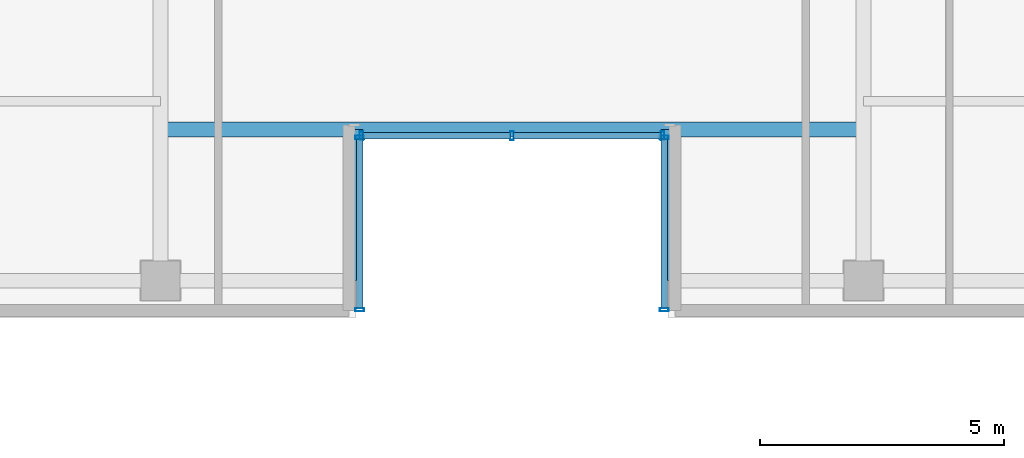
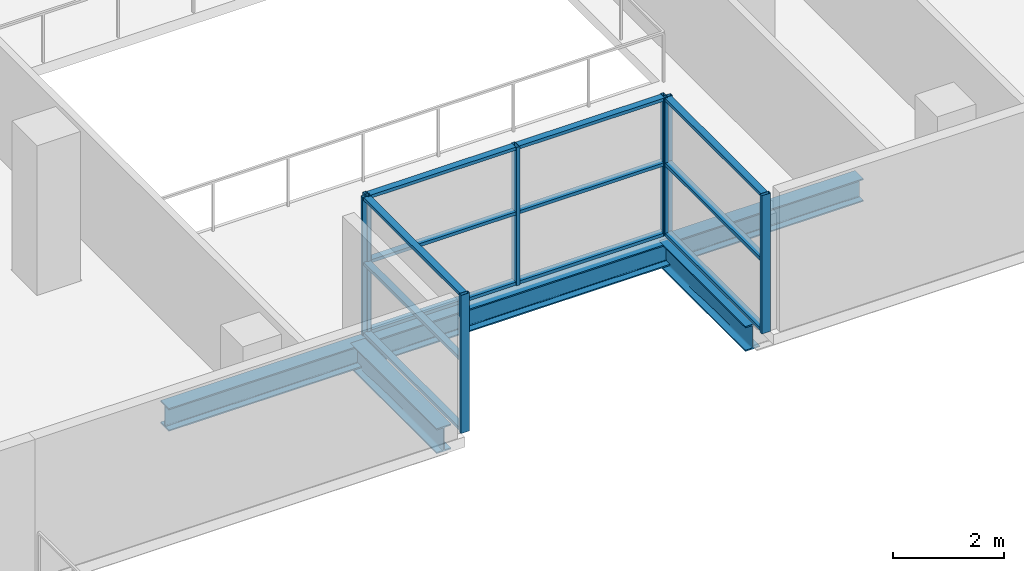
# One storey, part 3 of 22: 19 members, 3 beams, 3 elements without a shape of their own.
"""IFC4 building model written with IfcOpenShell, lengths in metres."""

from ifc_helpers import new_model, si_unit, direction, frame, origin, origin_2d, place, context, subcontext, project, spatial, hollow_rectangle, i_section, extrude, source, transform, mapped, material, layer, layer_set, material_profile, profile_set, type_object, element, aggregate, save


model = new_model("IFC4")

# Units and contexts
model_context = context("Model", 3, precision=1e-05, world=origin(), true_north=direction((0.0, 1.0)))
body_context = subcontext(model_context, "Body", "Model", "MODEL_VIEW")
ifc_project = project(units=[si_unit("LENGTHUNIT", "METRE"), si_unit("AREAUNIT", "SQUARE_METRE"), si_unit("VOLUMEUNIT", "CUBIC_METRE"), si_unit("PLANEANGLEUNIT", "RADIAN"), si_unit("MASSUNIT", "GRAM", prefix="KILO")], contexts=[model_context])

# Site, building, storey
site_placement = place(None, origin())
site = spatial("IfcSite", under=ifc_project, at=site_placement, CompositionType="ELEMENT")
building_placement = place(site_placement, origin())
building = spatial("IfcBuilding", under=site, at=building_placement, Name="Zarnakvel Exchange Tower", CompositionType="ELEMENT")
storey_placement = place(building_placement, frame((0.0, 0.0, 136.300048828125)))
storey = spatial("IfcBuildingStorey", under=building, at=storey_placement, Name="L38", CompositionType="ELEMENT", Elevation=136.300048828125)

# Beams
ifc_material_1 = material(Name="Steel S355", Category="steel")
ifc_material_profile_1 = material_profile(ifc_material_1, i_section(OverallWidth=0.300048828125, OverallDepth=0.550048828125, WebThickness=0.014892578125, FlangeThickness=0.029052734375, FilletRadius=0.027099609375, at=origin_2d()))
ifc_profile_set_1 = profile_set([ifc_material_profile_1], Name="Steel S355")
beam_type_1 = type_object("IfcBeamType", Name="G-05", PredefinedType="BEAM", material=ifc_profile_set_1)
for number, where, z_axis, x_axis, name in (
    (1, (-3.199951171875, -16.949951171875, -0.5), (0.0, 1.0, 0.0), (-1.0, 0.0, 0.0), "L38 South Slot West Cheek Beam"),
    (2, (3.199951171875, -16.949951171875, -0.5), (0.0, 1.0, 0.0), (-1.0, 0.0, 0.0), "L38 South Slot East Cheek Beam"),
):
    element("IfcBeam", number, at=place(storey_placement, frame(where, z_axis=z_axis, x_axis=x_axis)), inside=storey, type_object=beam_type_1, Name=name, PredefinedType="BEAM", context=body_context, shape_type="SweptSolid", body=[
        extrude(i_section(OverallWidth=0.300048828125, OverallDepth=0.550048828125, WebThickness=0.014892578125, FlangeThickness=0.029052734375, FilletRadius=0.027099609375, at=origin_2d()), origin(), (0.0, 0.0, 1.0), 3.099853515625),
    ])
ifc_material_profile_2 = material_profile(ifc_material_1, i_section(OverallWidth=0.300048828125, OverallDepth=0.5, WebThickness=0.014404296875, FlangeThickness=0.028076171875, FilletRadius=0.027099609375, at=origin_2d()))
ifc_profile_set_2 = profile_set([ifc_material_profile_2], Name="Steel S355")
beam_type_2 = type_object("IfcBeamType", Name="SP-02", PredefinedType="SPANDREL", material=ifc_profile_set_2)
beam_placement = place(storey_placement, frame((-7.199951171875, -13.85009765625, -0.47509765625), z_axis=(1.0, 0.0, 0.0), x_axis=(0.0, 1.0, 0.0)))
element("IfcBeam", 3, at=beam_placement, inside=storey, type_object=beam_type_2, Name="L38 South Slot Head Trimmer Girder", PredefinedType="SPANDREL", context=body_context, shape_type="SweptSolid", body=[
    extrude(i_section(OverallWidth=0.300048828125, OverallDepth=0.5, WebThickness=0.014404296875, FlangeThickness=0.028076171875, FilletRadius=0.027099609375, at=origin_2d()), origin(), (0.0, 0.0, 1.0), 14.39990234375),
])

# Curtain wall, members
ifc_material_2 = material(Name="Architectural Bronze Anodised Aluminium", Category="aluminium")
ifc_layer = layer(ifc_material_2, 0.179931640625)
ifc_layer_set = layer_set([ifc_layer], Name="Architectural Bronze Anodised Aluminium")
curtain_wall_type = type_object("IfcCurtainWallType", Name="CW-05", PredefinedType="NOTDEFINED", material=ifc_layer_set)
curtain_wall_1_placement = place(storey_placement, origin())
curtain_wall_1 = element("IfcCurtainWall", 4, at=curtain_wall_1_placement, inside=storey, type_object=curtain_wall_type, Name="L38 Curtain Wall CW-L38-SLW (CW-05)", PredefinedType="NOTDEFINED")
ifc_material_profile_3 = material_profile(ifc_material_2, hollow_rectangle(XDim=0.139892578125, YDim=0.070068359375, WallThickness=0.00390625, at=origin_2d()))
ifc_profile_set_3 = profile_set([ifc_material_profile_3], Name="Architectural Bronze Anodised Aluminium")
member_type_1 = type_object("IfcMemberType", Name="CWT-05", PredefinedType="USERDEFINED", material=ifc_profile_set_3)
shared_shape_1 = source(origin(), body_context, "Body", "SweptSolid", [
    extrude(hollow_rectangle(XDim=0.139892578125, YDim=0.070068359375, WallThickness=0.00390625, at=origin_2d()), origin(), (0.0, 0.0, 1.0), 3.4599609375),
])
member_1_placement = place(storey_placement, frame((-3.1201171875, -17.510009765625, 0.034912109375), z_axis=(0.0, 1.0, 0.0), x_axis=(-1.0, 0.0, 0.0)))
member_1 = element("IfcMember", 5, at=member_1_placement, type_object=member_type_1, Name="CW-05 transom 1.1", ObjectType="TRANSOM", PredefinedType="USERDEFINED", context=body_context, shape_type="MappedRepresentation", body=[
    mapped(shared_shape_1, transform((0.0, 0.0, 0.0), x_axis=(1.0, 0.0, 0.0), y_axis=(0.0, 1.0, 0.0), z_axis=(0.0, 0.0, 1.0), scale=1.0)),
])
member_2_placement = place(storey_placement, frame((-3.1201171875, -17.510009765625, 1.575439453125), z_axis=(0.0, 1.0, 0.0), x_axis=(-1.0, 0.0, 0.0)))
member_2 = element("IfcMember", 6, at=member_2_placement, type_object=member_type_1, Name="CW-05 transom 1.2", ObjectType="TRANSOM", PredefinedType="USERDEFINED", context=body_context, shape_type="MappedRepresentation", body=[
    mapped(shared_shape_1, transform((0.0, 0.0, 0.0), x_axis=(1.0, 0.0, 0.0), y_axis=(0.0, 1.0, 0.0), z_axis=(0.0, 0.0, 1.0), scale=1.0)),
])
member_3_placement = place(storey_placement, frame((-3.1201171875, -17.510009765625, 2.994873046875), z_axis=(0.0, 1.0, 0.0), x_axis=(-1.0, 0.0, 0.0)))
member_3 = element("IfcMember", 7, at=member_3_placement, type_object=member_type_1, Name="CW-05 transom 1.3", ObjectType="TRANSOM", PredefinedType="USERDEFINED", context=body_context, shape_type="MappedRepresentation", body=[
    mapped(shared_shape_1, transform((0.0, 0.0, 0.0), x_axis=(1.0, 0.0, 0.0), y_axis=(0.0, 1.0, 0.0), z_axis=(0.0, 0.0, 1.0), scale=1.0)),
])

curtain_wall_2_placement = place(storey_placement, origin())
curtain_wall_2 = element("IfcCurtainWall", 8, at=curtain_wall_2_placement, inside=storey, type_object=curtain_wall_type, Name="L38 Curtain Wall CW-L38-SLE (CW-05)", PredefinedType="NOTDEFINED")
member_4_placement = place(storey_placement, frame((3.1201171875, -14.050048828125, 0.034912109375), z_axis=(0.0, -1.0, 0.0), x_axis=(1.0, 0.0, 0.0)))
member_4 = element("IfcMember", 9, at=member_4_placement, type_object=member_type_1, Name="CW-05 transom 1.1", ObjectType="TRANSOM", PredefinedType="USERDEFINED", context=body_context, shape_type="MappedRepresentation", body=[
    mapped(shared_shape_1, transform((0.0, 0.0, 0.0), x_axis=(1.0, 0.0, 0.0), y_axis=(0.0, 1.0, 0.0), z_axis=(0.0, 0.0, 1.0), scale=1.0)),
])
member_5_placement = place(storey_placement, frame((3.1201171875, -14.050048828125, 1.575439453125), z_axis=(0.0, -1.0, 0.0), x_axis=(1.0, 0.0, 0.0)))
member_5 = element("IfcMember", 10, at=member_5_placement, type_object=member_type_1, Name="CW-05 transom 1.2", ObjectType="TRANSOM", PredefinedType="USERDEFINED", context=body_context, shape_type="MappedRepresentation", body=[
    mapped(shared_shape_1, transform((0.0, 0.0, 0.0), x_axis=(1.0, 0.0, 0.0), y_axis=(0.0, 1.0, 0.0), z_axis=(0.0, 0.0, 1.0), scale=1.0)),
])
member_6_placement = place(storey_placement, frame((3.1201171875, -14.050048828125, 2.994873046875), z_axis=(0.0, -1.0, 0.0), x_axis=(1.0, 0.0, 0.0)))
member_6 = element("IfcMember", 11, at=member_6_placement, type_object=member_type_1, Name="CW-05 transom 1.3", ObjectType="TRANSOM", PredefinedType="USERDEFINED", context=body_context, shape_type="MappedRepresentation", body=[
    mapped(shared_shape_1, transform((0.0, 0.0, 0.0), x_axis=(1.0, 0.0, 0.0), y_axis=(0.0, 1.0, 0.0), z_axis=(0.0, 0.0, 1.0), scale=1.0)),
])

curtain_wall_3_placement = place(storey_placement, origin())
curtain_wall_3 = element("IfcCurtainWall", 12, at=curtain_wall_3_placement, inside=storey, type_object=curtain_wall_type, Name="L38 Curtain Wall CW-L38-SLB (CW-05)", PredefinedType="NOTDEFINED")
shared_shape_2 = source(origin(), body_context, "Body", "SweptSolid", [
    extrude(hollow_rectangle(XDim=0.139892578125, YDim=0.070068359375, WallThickness=0.00390625, at=origin_2d()), origin(), (0.0, 0.0, 1.0), 3.01513671875),
])
member_7_placement = place(storey_placement, frame((-3.050048828125, -13.97998046875, 0.034912109375), z_axis=(1.0, 0.0, 0.0), x_axis=(0.0, 1.0, 0.0)))
member_7 = element("IfcMember", 13, at=member_7_placement, type_object=member_type_1, Name="CW-05 transom 1.1", ObjectType="TRANSOM", PredefinedType="USERDEFINED", context=body_context, shape_type="MappedRepresentation", body=[
    mapped(shared_shape_2, transform((0.0, 0.0, 0.0), x_axis=(1.0, 0.0, 0.0), y_axis=(0.0, 1.0, 0.0), z_axis=(0.0, 0.0, 1.0), scale=1.0)),
])
member_8_placement = place(storey_placement, frame((-3.050048828125, -13.97998046875, 1.575439453125), z_axis=(1.0, 0.0, 0.0), x_axis=(0.0, 1.0, 0.0)))
member_8 = element("IfcMember", 14, at=member_8_placement, type_object=member_type_1, Name="CW-05 transom 1.2", ObjectType="TRANSOM", PredefinedType="USERDEFINED", context=body_context, shape_type="MappedRepresentation", body=[
    mapped(shared_shape_2, transform((0.0, 0.0, 0.0), x_axis=(1.0, 0.0, 0.0), y_axis=(0.0, 1.0, 0.0), z_axis=(0.0, 0.0, 1.0), scale=1.0)),
])
member_9_placement = place(storey_placement, frame((-3.050048828125, -13.97998046875, 2.994873046875), z_axis=(1.0, 0.0, 0.0), x_axis=(0.0, 1.0, 0.0)))
member_9 = element("IfcMember", 15, at=member_9_placement, type_object=member_type_1, Name="CW-05 transom 1.3", ObjectType="TRANSOM", PredefinedType="USERDEFINED", context=body_context, shape_type="MappedRepresentation", body=[
    mapped(shared_shape_2, transform((0.0, 0.0, 0.0), x_axis=(1.0, 0.0, 0.0), y_axis=(0.0, 1.0, 0.0), z_axis=(0.0, 0.0, 1.0), scale=1.0)),
])
member_10_placement = place(storey_placement, frame((0.034912109375, -13.97998046875, 0.034912109375), z_axis=(1.0, 0.0, 0.0), x_axis=(0.0, 1.0, 0.0)))
member_10 = element("IfcMember", 16, at=member_10_placement, type_object=member_type_1, Name="CW-05 transom 2.1", ObjectType="TRANSOM", PredefinedType="USERDEFINED", context=body_context, shape_type="MappedRepresentation", body=[
    mapped(shared_shape_2, transform((0.0, 0.0, 0.0), x_axis=(1.0, 0.0, 0.0), y_axis=(0.0, 1.0, 0.0), z_axis=(0.0, 0.0, 1.0), scale=1.0)),
])
member_11_placement = place(storey_placement, frame((0.034912109375, -13.97998046875, 1.575439453125), z_axis=(1.0, 0.0, 0.0), x_axis=(0.0, 1.0, 0.0)))
member_11 = element("IfcMember", 17, at=member_11_placement, type_object=member_type_1, Name="CW-05 transom 2.2", ObjectType="TRANSOM", PredefinedType="USERDEFINED", context=body_context, shape_type="MappedRepresentation", body=[
    mapped(shared_shape_2, transform((0.0, 0.0, 0.0), x_axis=(1.0, 0.0, 0.0), y_axis=(0.0, 1.0, 0.0), z_axis=(0.0, 0.0, 1.0), scale=1.0)),
])
member_12_placement = place(storey_placement, frame((0.034912109375, -13.97998046875, 2.994873046875), z_axis=(1.0, 0.0, 0.0), x_axis=(0.0, 1.0, 0.0)))
member_12 = element("IfcMember", 18, at=member_12_placement, type_object=member_type_1, Name="CW-05 transom 2.3", ObjectType="TRANSOM", PredefinedType="USERDEFINED", context=body_context, shape_type="MappedRepresentation", body=[
    mapped(shared_shape_2, transform((0.0, 0.0, 0.0), x_axis=(1.0, 0.0, 0.0), y_axis=(0.0, 1.0, 0.0), z_axis=(0.0, 0.0, 1.0), scale=1.0)),
])

# Member
ifc_material_profile_4 = material_profile(ifc_material_2, hollow_rectangle(XDim=0.179931640625, YDim=0.070068359375, WallThickness=0.00390625, at=origin_2d()))
ifc_profile_set_4 = profile_set([ifc_material_profile_4], Name="Architectural Bronze Anodised Aluminium")
member_type_2 = type_object("IfcMemberType", Name="CWM-05", PredefinedType="MULLION", material=ifc_profile_set_4)
shared_shape_3 = source(origin(), body_context, "Body", "SweptSolid", [
    extrude(hollow_rectangle(XDim=0.179931640625, YDim=0.070068359375, WallThickness=0.00390625, at=origin_2d()), origin(), (0.0, 0.0, 1.0), 3.030029296875),
])
member_13_placement = place(storey_placement, frame((-3.1201171875, -17.544921875, 0.0), z_axis=(0.0, 0.0, 1.0), x_axis=(-1.0, 0.0, 0.0)))
member_13 = element("IfcMember", 19, at=member_13_placement, type_object=member_type_2, Name="CW-05 mullion 1", PredefinedType="MULLION", context=body_context, shape_type="MappedRepresentation", body=[
    mapped(shared_shape_3, transform((0.0, 0.0, 0.0), x_axis=(1.0, 0.0, 0.0), y_axis=(0.0, 1.0, 0.0), z_axis=(0.0, 0.0, 1.0), scale=1.0)),
])

member_14_placement = place(storey_placement, frame((-3.1201171875, -14.014892578125, 0.0), z_axis=(0.0, 0.0, 1.0), x_axis=(-1.0, 0.0, 0.0)))
member_14 = element("IfcMember", 20, at=member_14_placement, type_object=member_type_2, Name="CW-05 mullion 2", PredefinedType="MULLION", context=body_context, shape_type="MappedRepresentation", body=[
    mapped(shared_shape_3, transform((0.0, 0.0, 0.0), x_axis=(1.0, 0.0, 0.0), y_axis=(0.0, 1.0, 0.0), z_axis=(0.0, 0.0, 1.0), scale=1.0)),
])

aggregate(curtain_wall_1, [member_13, member_14, member_1, member_2, member_3])

member_15_placement = place(storey_placement, frame((-3.0849609375, -13.97998046875, 0.0), z_axis=(0.0, 0.0, 1.0), x_axis=(0.0, 1.0, 0.0)))
member_15 = element("IfcMember", 21, at=member_15_placement, type_object=member_type_2, Name="CW-05 mullion 1", PredefinedType="MULLION", context=body_context, shape_type="MappedRepresentation", body=[
    mapped(shared_shape_3, transform((0.0, 0.0, 0.0), x_axis=(1.0, 0.0, 0.0), y_axis=(0.0, 1.0, 0.0), z_axis=(0.0, 0.0, 1.0), scale=1.0)),
])

member_16_placement = place(storey_placement, frame((0.0, -13.97998046875, 0.0), z_axis=(0.0, 0.0, 1.0), x_axis=(0.0, 1.0, 0.0)))
member_16 = element("IfcMember", 22, at=member_16_placement, type_object=member_type_2, Name="CW-05 mullion 2", PredefinedType="MULLION", context=body_context, shape_type="MappedRepresentation", body=[
    mapped(shared_shape_3, transform((0.0, 0.0, 0.0), x_axis=(1.0, 0.0, 0.0), y_axis=(0.0, 1.0, 0.0), z_axis=(0.0, 0.0, 1.0), scale=1.0)),
])

member_17_placement = place(storey_placement, frame((3.0849609375, -13.97998046875, 0.0), z_axis=(0.0, 0.0, 1.0), x_axis=(0.0, 1.0, 0.0)))
member_17 = element("IfcMember", 23, at=member_17_placement, type_object=member_type_2, Name="CW-05 mullion 3", PredefinedType="MULLION", context=body_context, shape_type="MappedRepresentation", body=[
    mapped(shared_shape_3, transform((0.0, 0.0, 0.0), x_axis=(1.0, 0.0, 0.0), y_axis=(0.0, 1.0, 0.0), z_axis=(0.0, 0.0, 1.0), scale=1.0)),
])

aggregate(curtain_wall_3, [member_15, member_16, member_17, member_7, member_8, member_9, member_10, member_11, member_12])

member_18_placement = place(storey_placement, frame((3.1201171875, -14.014892578125, 0.0), z_axis=(0.0, 0.0, 1.0), x_axis=(1.0, 0.0, 0.0)))
member_18 = element("IfcMember", 24, at=member_18_placement, type_object=member_type_2, Name="CW-05 mullion 1", PredefinedType="MULLION", context=body_context, shape_type="MappedRepresentation", body=[
    mapped(shared_shape_3, transform((0.0, 0.0, 0.0), x_axis=(1.0, 0.0, 0.0), y_axis=(0.0, 1.0, 0.0), z_axis=(0.0, 0.0, 1.0), scale=1.0)),
])

member_19_placement = place(storey_placement, frame((3.1201171875, -17.544921875, 0.0), z_axis=(0.0, 0.0, 1.0), x_axis=(1.0, 0.0, 0.0)))
member_19 = element("IfcMember", 25, at=member_19_placement, type_object=member_type_2, Name="CW-05 mullion 2", PredefinedType="MULLION", context=body_context, shape_type="MappedRepresentation", body=[
    mapped(shared_shape_3, transform((0.0, 0.0, 0.0), x_axis=(1.0, 0.0, 0.0), y_axis=(0.0, 1.0, 0.0), z_axis=(0.0, 0.0, 1.0), scale=1.0)),
])

aggregate(curtain_wall_2, [member_18, member_19, member_4, member_5, member_6])

save(model, "model.ifc")
